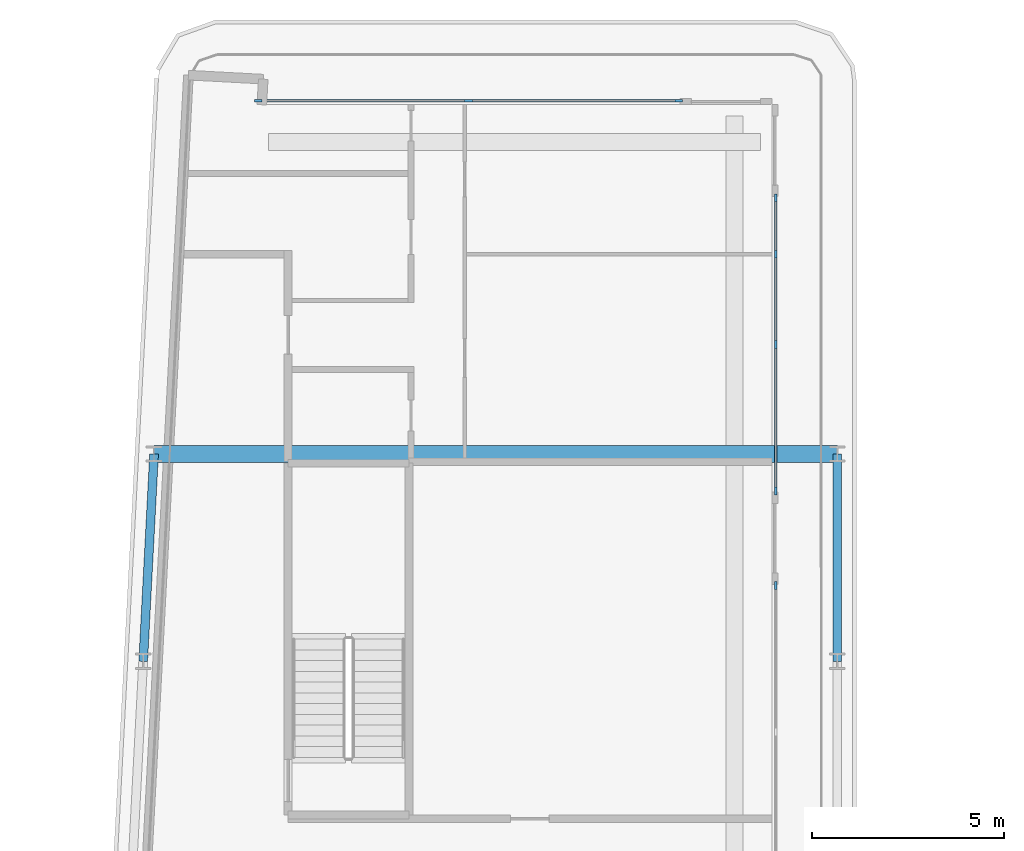
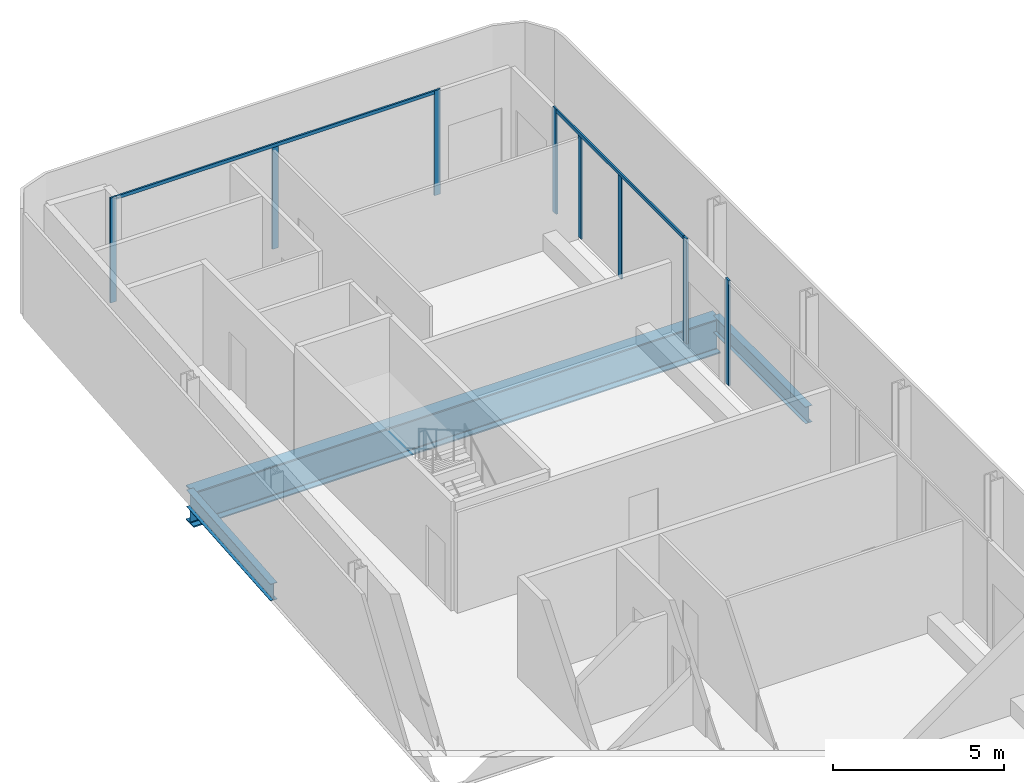
# One storey, part 11 of 29: 10 members, 3 beams, 3 elements without a shape of their own.
"""IFC4 building model written with IfcOpenShell, lengths in metres."""

from ifc_helpers import new_model, si_unit, direction, frame, origin, origin_2d, place, context, subcontext, project, spatial, rectangle, i_section, extrude, material, layer, layer_set, material_profile, profile_set, type_object, element, aggregate, save


model = new_model("IFC4")

# Units and contexts
model_context = context("Model", 3, precision=1e-05, world=origin(), true_north=direction((0.0, 1.0)))
body_context = subcontext(model_context, "Body", "Model", "MODEL_VIEW")
ifc_project = project(units=[si_unit("LENGTHUNIT", "METRE"), si_unit("AREAUNIT", "SQUARE_METRE"), si_unit("VOLUMEUNIT", "CUBIC_METRE"), si_unit("PLANEANGLEUNIT", "RADIAN"), si_unit("MASSUNIT", "GRAM", prefix="KILO")], contexts=[model_context])

# Site, building, storey
site_placement = place(None, origin())
site = spatial("IfcSite", under=ifc_project, at=site_placement, CompositionType="ELEMENT")
building_placement = place(site_placement, origin())
building = spatial("IfcBuilding", under=site, at=building_placement, Name="Kheshtan School and Residences Tower", CompositionType="ELEMENT")
storey_placement = place(building_placement, frame((0.0, 0.0, 176.0)))
storey = spatial("IfcBuildingStorey", under=building, at=storey_placement, Name="L41", CompositionType="ELEMENT", Elevation=176.0)

# Beams
ifc_material_1 = material(Name="Steel ASTM A992 Grade 50", Category="steel")
ifc_material_profile_1 = material_profile(ifc_material_1, i_section(OverallWidth=0.22802734375, OverallDepth=0.60302734375, WebThickness=0.010498046875, FlangeThickness=0.014892578125, FilletRadius=0.013427734375, at=origin_2d()), Name="W610x101")
ifc_profile_set_1 = profile_set([ifc_material_profile_1], Name="Steel ASTM A992 Grade 50")
beam_type_1 = type_object("IfcBeamType", Name="Beam SP2 W610x101 ASTM A992 Grade 50", PredefinedType="BEAM", material=ifc_profile_set_1)
beam_1_placement = place(storey_placement, frame((47.60009765625, 88.800048828125, -0.451416015625), z_axis=(0.0, -1.0, 0.0), x_axis=(1.0, 0.0, 0.0)))
element("IfcBeam", 1, at=beam_1_placement, inside=storey, type_object=beam_type_1, Name="Spandrel beam C099-C091", PredefinedType="BEAM", context=body_context, shape_type="SweptSolid", body=[
    extrude(i_section(OverallWidth=0.22802734375, OverallDepth=0.60302734375, WebThickness=0.010498046875, FlangeThickness=0.014892578125, FilletRadius=0.013427734375, at=origin_2d()), origin(), (0.0, 0.0, 1.0), 5.400146484375),
])
beam_2_placement = place(storey_placement, frame((29.527099609375, 83.39990234375, -0.451416015625), z_axis=(0.05250670125, 0.998620571751, 0.0), x_axis=(-0.998620571751, 0.05250670125, 0.0)))
element("IfcBeam", 2, at=beam_2_placement, inside=storey, type_object=beam_type_1, Name="Spandrel beam C090-C098", PredefinedType="BEAM", context=body_context, shape_type="SweptSolid", body=[
    extrude(i_section(OverallWidth=0.22802734375, OverallDepth=0.60302734375, WebThickness=0.010498046875, FlangeThickness=0.014892578125, FilletRadius=0.013427734375, at=origin_2d()), origin(), (0.0, 0.0, 1.0), 5.40771484375),
])

# Curtain wall, members
ifc_material_2 = material(Name="Clear low-e glass in thermally broken aluminium frame", Category="aluminium")
ifc_layer = layer(ifc_material_2, 0.199951171875)
ifc_layer_set = layer_set([ifc_layer], Name="Curtain wall CW-L")
curtain_wall_type = type_object("IfcCurtainWallType", Name="Curtain wall CW-L", PredefinedType="NOTDEFINED", material=ifc_layer_set)
curtain_wall_1_placement = place(storey_placement, origin())
curtain_wall_1 = element("IfcCurtainWall", 3, at=curtain_wall_1_placement, inside=storey, type_object=curtain_wall_type, Name="Curtain wall CWL7", PredefinedType="NOTDEFINED")
ifc_material_3 = material(Name="Thermally broken aluminium, dark bronze anodised", Category="aluminium")
ifc_material_profile_2 = material_profile(ifc_material_3, rectangle(XDim=0.06005859375, YDim=0.199951171875, at=origin_2d()), Name="CW-L mullion 60x200")
ifc_profile_set_2 = profile_set([ifc_material_profile_2], Name="Thermally broken aluminium, dark bronze anodised")
member_type_1 = type_object("IfcMemberType", Name="CW-L mullion 60x200", PredefinedType="MULLION", material=ifc_profile_set_2)
member_1_placement = place(storey_placement, frame((32.52197265625, 98.0, 0.0), z_axis=(0.0, 0.0, 1.0), x_axis=(0.0, 1.0, 0.0)))
member_1 = element("IfcMember", 4, at=member_1_placement, type_object=member_type_1, Name="CWL7 mullion 1", PredefinedType="MULLION", context=body_context, shape_type="SweptSolid", body=[
    extrude(rectangle(XDim=0.06005859375, YDim=0.199951171875, at=origin_2d()), origin(), (0.0, 0.0, 1.0), 3.75),
])
member_2_placement = place(storey_placement, frame((37.99609375, 98.0, 0.0), z_axis=(0.0, 0.0, 1.0), x_axis=(0.0, 1.0, 0.0)))
member_2 = element("IfcMember", 5, at=member_2_placement, type_object=member_type_1, Name="CWL7 mullion 2", PredefinedType="MULLION", context=body_context, shape_type="SweptSolid", body=[
    extrude(rectangle(XDim=0.06005859375, YDim=0.199951171875, at=origin_2d()), origin(), (0.0, 0.0, 1.0), 3.6298828125),
])
member_3_placement = place(storey_placement, frame((43.469970703125, 98.0, 0.0), z_axis=(0.0, 0.0, 1.0), x_axis=(0.0, 1.0, 0.0)))
member_3 = element("IfcMember", 6, at=member_3_placement, type_object=member_type_1, Name="CWL7 mullion 3", PredefinedType="MULLION", context=body_context, shape_type="SweptSolid", body=[
    extrude(rectangle(XDim=0.06005859375, YDim=0.199951171875, at=origin_2d()), origin(), (0.0, 0.0, 1.0), 3.75),
])

curtain_wall_2_placement = place(storey_placement, origin())
curtain_wall_2 = element("IfcCurtainWall", 7, at=curtain_wall_2_placement, inside=storey, type_object=curtain_wall_type, Name="Curtain wall CWL8c", PredefinedType="NOTDEFINED")
member_4_placement = place(storey_placement, frame((46.0, 95.469970703125, 0.0), z_axis=(0.0, 0.0, 1.0), x_axis=(1.0, 0.0, 0.0)))
member_4 = element("IfcMember", 8, at=member_4_placement, type_object=member_type_1, Name="CWL8c mullion 1", PredefinedType="MULLION", context=body_context, shape_type="SweptSolid", body=[
    extrude(rectangle(XDim=0.06005859375, YDim=0.199951171875, at=origin_2d()), origin(), (0.0, 0.0, 1.0), 3.75),
])
member_5_placement = place(storey_placement, frame((46.0, 94.0, 0.0), z_axis=(0.0, 0.0, 1.0), x_axis=(1.0, 0.0, 0.0)))
member_5 = element("IfcMember", 9, at=member_5_placement, type_object=member_type_1, Name="CWL8c mullion 2", PredefinedType="MULLION", context=body_context, shape_type="SweptSolid", body=[
    extrude(rectangle(XDim=0.06005859375, YDim=0.199951171875, at=origin_2d()), origin(), (0.0, 0.0, 1.0), 3.6298828125),
])
member_6_placement = place(storey_placement, frame((46.0, 91.653076171875, 0.0), z_axis=(0.0, 0.0, 1.0), x_axis=(1.0, 0.0, 0.0)))
member_6 = element("IfcMember", 10, at=member_6_placement, type_object=member_type_1, Name="CWL8c mullion 3", PredefinedType="MULLION", context=body_context, shape_type="SweptSolid", body=[
    extrude(rectangle(XDim=0.06005859375, YDim=0.199951171875, at=origin_2d()), origin(), (0.0, 0.0, 1.0), 3.6298828125),
])
member_7_placement = place(storey_placement, frame((46.0, 87.8359375, 0.0), z_axis=(0.0, 0.0, 1.0), x_axis=(1.0, 0.0, 0.0)))
member_7 = element("IfcMember", 11, at=member_7_placement, type_object=member_type_1, Name="CWL8c mullion 4", PredefinedType="MULLION", context=body_context, shape_type="SweptSolid", body=[
    extrude(rectangle(XDim=0.06005859375, YDim=0.199951171875, at=origin_2d()), origin(), (0.0, 0.0, 1.0), 3.75),
])

# Curtain wall, member
curtain_wall_3_placement = place(storey_placement, origin())
curtain_wall_3 = element("IfcCurtainWall", 12, at=curtain_wall_3_placement, inside=storey, type_object=curtain_wall_type, Name="Curtain wall CWL8", PredefinedType="NOTDEFINED")
member_8_placement = place(storey_placement, frame((46.0, 85.3759765625, 0.0), z_axis=(0.0, 0.0, 1.0), x_axis=(1.0, 0.0, 0.0)))
member_8 = element("IfcMember", 13, at=member_8_placement, type_object=member_type_1, Name="CWL8 mullion 1", PredefinedType="MULLION", context=body_context, shape_type="SweptSolid", body=[
    extrude(rectangle(XDim=0.06005859375, YDim=0.199951171875, at=origin_2d()), origin(), (0.0, 0.0, 1.0), 3.75),
])
aggregate(curtain_wall_3, [member_8])

# Member
ifc_material_profile_3 = material_profile(ifc_material_3, rectangle(XDim=0.06005859375, YDim=0.1201171875, at=origin_2d()), Name="CW-L transom 60x120")
ifc_profile_set_3 = profile_set([ifc_material_profile_3], Name="Thermally broken aluminium, dark bronze anodised")
member_type_2 = type_object("IfcMemberType", Name="CW-L transom 60x120", PredefinedType="USERDEFINED", material=ifc_profile_set_3)
member_9_placement = place(storey_placement, frame((32.552001953125, 98.0, 3.68994140625), z_axis=(1.0, 0.0, 0.0), x_axis=(0.0, 1.0, 0.0)))
member_9 = element("IfcMember", 14, at=member_9_placement, type_object=member_type_2, Name="CWL7 transom 1", ObjectType="TRANSOM", PredefinedType="USERDEFINED", context=body_context, shape_type="SweptSolid", body=[
    extrude(rectangle(XDim=0.06005859375, YDim=0.1201171875, at=origin_2d()), origin(), (0.0, 0.0, 1.0), 10.887939453125),
])

aggregate(curtain_wall_1, [member_1, member_2, member_3, member_9])

member_10_placement = place(storey_placement, frame((46.0, 95.43994140625, 3.68994140625), z_axis=(0.0, -1.0, 0.0), x_axis=(1.0, 0.0, 0.0)))
member_10 = element("IfcMember", 15, at=member_10_placement, type_object=member_type_2, Name="CWL8c transom 1", ObjectType="TRANSOM", PredefinedType="USERDEFINED", context=body_context, shape_type="SweptSolid", body=[
    extrude(rectangle(XDim=0.06005859375, YDim=0.1201171875, at=origin_2d()), origin(), (0.0, 0.0, 1.0), 7.573974609375),
])

aggregate(curtain_wall_2, [member_4, member_5, member_6, member_7, member_10])

# Beam
ifc_material_profile_4 = material_profile(ifc_material_1, i_section(OverallWidth=0.449951171875, OverallDepth=1.25, WebThickness=0.02490234375, FlangeThickness=0.044921875, FilletRadius=0.03759765625, at=origin_2d()), Name="WWF1250x546")
ifc_profile_set_4 = profile_set([ifc_material_profile_4], Name="Steel ASTM A992 Grade 50")
beam_type_2 = type_object("IfcBeamType", Name="Transfer girder TG4 WWF1250x546 ASTM A992 Grade 50", PredefinedType="BEAM", material=ifc_profile_set_4)
beam_3_placement = place(storey_placement, frame((29.81103515625, 88.800048828125, -0.77490234375), z_axis=(1.0, 0.0, 0.0), x_axis=(0.0, 1.0, 0.0)))
element("IfcBeam", 16, at=beam_3_placement, inside=storey, type_object=beam_type_2, Name="Transfer girder C098-C099", PredefinedType="BEAM", context=body_context, shape_type="SweptSolid", body=[
    extrude(i_section(OverallWidth=0.449951171875, OverallDepth=1.25, WebThickness=0.02490234375, FlangeThickness=0.044921875, FilletRadius=0.03759765625, at=origin_2d()), origin(), (0.0, 0.0, 1.0), 17.7890625),
])

save(model, "model.ifc")
